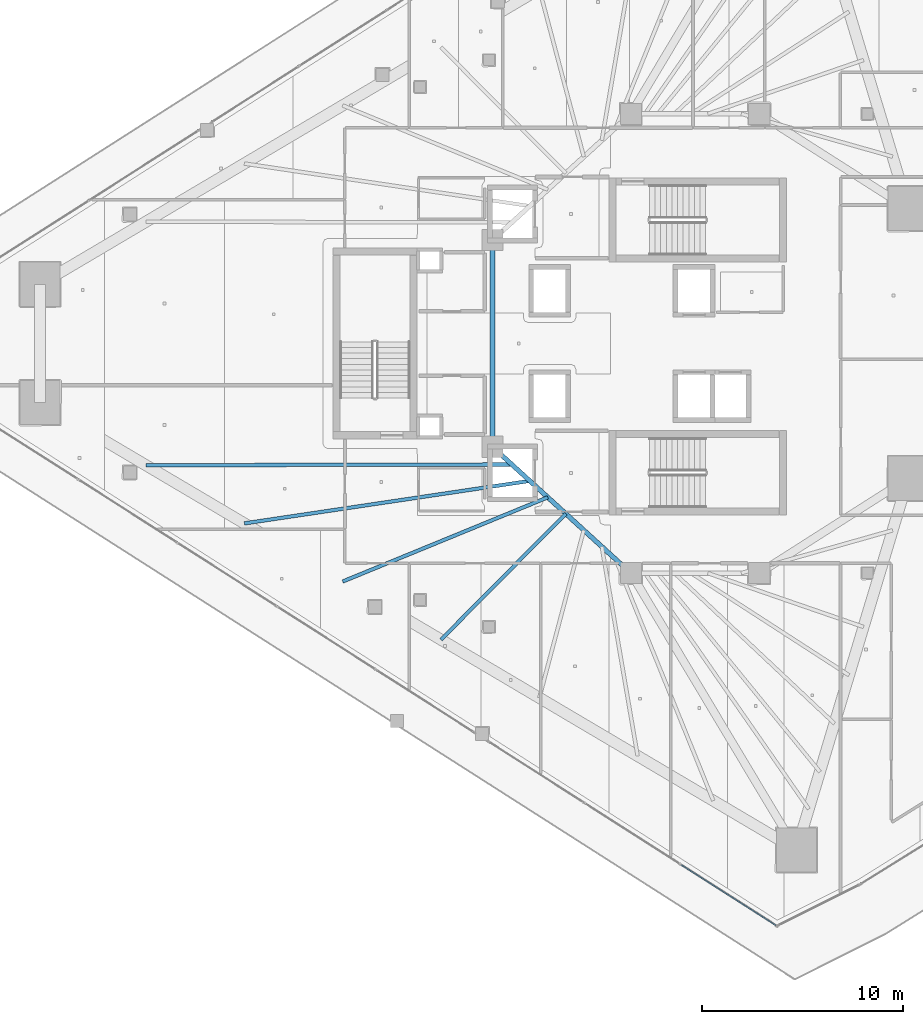
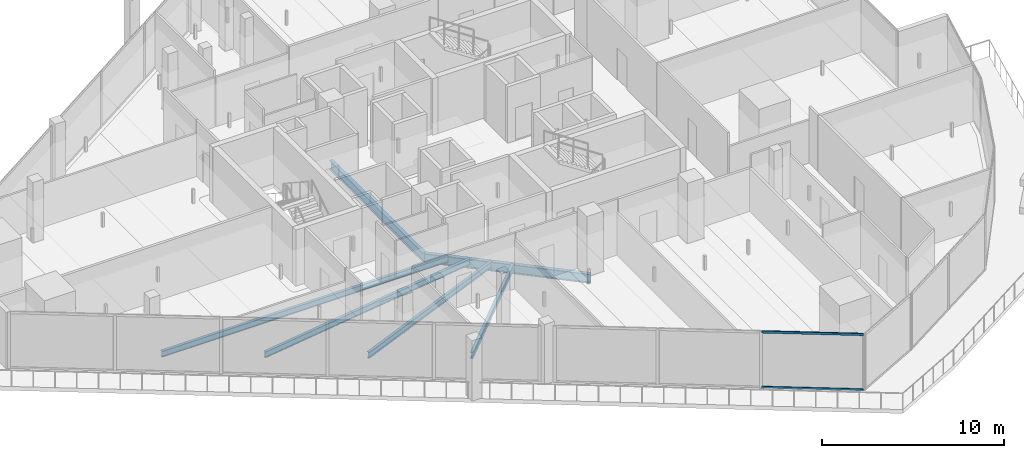
# One storey, part 6 of 35: 6 beams, 2 members, 1 element without a shape of its own.
"""IFC4 building model written with IfcOpenShell, lengths in metres."""

from ifc_helpers import new_model, si_unit, direction, frame, origin, origin_2d, place, context, subcontext, project, spatial, hollow_rectangle, i_section, extrude, material, layer, layer_set, material_profile, profile_set, type_object, element, aggregate, save


model = new_model("IFC4")

# Units and contexts
model_context = context("Model", 3, precision=1e-05, world=origin(), true_north=direction((0.0, 1.0)))
body_context = subcontext(model_context, "Body", "Model", "MODEL_VIEW")
ifc_project = project(units=[si_unit("LENGTHUNIT", "METRE"), si_unit("AREAUNIT", "SQUARE_METRE"), si_unit("VOLUMEUNIT", "CUBIC_METRE"), si_unit("PLANEANGLEUNIT", "RADIAN"), si_unit("MASSUNIT", "GRAM", prefix="KILO")], contexts=[model_context])

# Site, building, storey
site_placement = place(None, origin())
site = spatial("IfcSite", under=ifc_project, at=site_placement, CompositionType="ELEMENT")
building_placement = place(site_placement, origin())
building = spatial("IfcBuilding", under=site, at=building_placement, Name="Qorvath Tower", CompositionType="ELEMENT")
storey_placement = place(building_placement, frame((0.0, 0.0, 166.5)))
storey = spatial("IfcBuildingStorey", under=building, at=storey_placement, Name="L38", CompositionType="ELEMENT", Elevation=166.5)

# Beams
ifc_material_1 = material(Name="Steel ASTM A992 Grade 50", Category="steel")
ifc_material_profile_1 = material_profile(ifc_material_1, i_section(OverallWidth=0.22998046875, OverallDepth=0.616943359375, WebThickness=0.01318359375, FlangeThickness=0.022216796875, FilletRadius=0.014892578125, at=origin_2d()), Name="W24x94")
ifc_profile_set_1 = profile_set([ifc_material_profile_1], Name="Steel ASTM A992 Grade 50")
beam_type_1 = type_object("IfcBeamType", Name="BM-FG6", PredefinedType="BEAM", material=ifc_profile_set_1)
beam_1_placement = place(storey_placement, frame((-23.60009765625, -11.449951171875, -0.57861328125), z_axis=(-0.73847813985, 0.6742774184, 0.0), x_axis=(-0.6742774184, -0.73847813985, 0.0)))
element("IfcBeam", 1, at=beam_1_placement, inside=storey, type_object=beam_type_1, Name="Core Ring Girder CC4-CC6 L38", PredefinedType="BEAM", context=body_context, shape_type="SweptSolid", body=[
    extrude(i_section(OverallWidth=0.22998046875, OverallDepth=0.616943359375, WebThickness=0.01318359375, FlangeThickness=0.022216796875, FilletRadius=0.014892578125, at=origin_2d()), origin(), (0.0, 0.0, 1.0), 9.343505859375),
])
beam_2_placement = place(storey_placement, frame((-30.5, -5.14990234375, -0.57861328125), z_axis=(0.0, 1.0, 0.0), x_axis=(-1.0, 0.0, 0.0)))
element("IfcBeam", 2, at=beam_2_placement, inside=storey, type_object=beam_type_1, Name="Core Ring Girder CC6-CC5 L38", PredefinedType="BEAM", context=body_context, shape_type="SweptSolid", body=[
    extrude(i_section(OverallWidth=0.22998046875, OverallDepth=0.616943359375, WebThickness=0.01318359375, FlangeThickness=0.022216796875, FilletRadius=0.014892578125, at=origin_2d()), origin(), (0.0, 0.0, 1.0), 10.2998046875),
])
ifc_material_2 = material(Name="Steel ASTM A992 Grade 50", Category="steel")
ifc_material_profile_2 = material_profile(ifc_material_2, i_section(OverallWidth=0.177978515625, OverallDepth=0.406005859375, WebThickness=0.0078125, FlangeThickness=0.0126953125, FilletRadius=0.010986328125, at=origin_2d()), Name="W16x40")
ifc_profile_set_2 = profile_set([ifc_material_profile_2], Name="Steel ASTM A992 Grade 50")
beam_type_2 = type_object("IfcBeamType", Name="BM-FJ3", PredefinedType="JOIST", material=ifc_profile_set_2)
beam_3_placement = place(storey_placement, frame((-29.533935546875, -6.031982421875, -0.472900390625), z_axis=(-0.999997589883, -0.002195501951, 0.0), x_axis=(0.002195501951, -0.999997589883, 0.0)))
element("IfcBeam", 3, at=beam_3_placement, inside=storey, type_object=beam_type_2, Name="Composite Floor Joist SW1 L38", PredefinedType="JOIST", context=body_context, shape_type="SweptSolid", body=[
    extrude(i_section(OverallWidth=0.177978515625, OverallDepth=0.406005859375, WebThickness=0.0078125, FlangeThickness=0.0126953125, FilletRadius=0.010986328125, at=origin_2d()), origin(), (0.0, 0.0, 1.0), 18.23681640625),
])
beam_4_placement = place(storey_placement, frame((-28.636962890625, -6.85107421875, -0.472900390625), z_axis=(-0.989092860328, -0.147293291256, 0.0), x_axis=(0.147293291256, -0.989092860328, 0.0)))
element("IfcBeam", 4, at=beam_4_placement, inside=storey, type_object=beam_type_2, Name="Composite Floor Joist SW2 L38", PredefinedType="JOIST", context=body_context, shape_type="SweptSolid", body=[
    extrude(i_section(OverallWidth=0.177978515625, OverallDepth=0.406005859375, WebThickness=0.0078125, FlangeThickness=0.0126953125, FilletRadius=0.010986328125, at=origin_2d()), origin(), (0.0, 0.0, 1.0), 14.388916015625),
])
beam_5_placement = place(storey_placement, frame((-27.739990234375, -7.669921875, -0.472900390625), z_axis=(-0.925068176006, -0.379801092338, 0.0), x_axis=(0.379801092338, -0.925068176006, 0.0)))
element("IfcBeam", 5, at=beam_5_placement, inside=storey, type_object=beam_type_2, Name="Composite Floor Joist SW3 L38", PredefinedType="JOIST", context=body_context, shape_type="SweptSolid", body=[
    extrude(i_section(OverallWidth=0.177978515625, OverallDepth=0.406005859375, WebThickness=0.0078125, FlangeThickness=0.0126953125, FilletRadius=0.010986328125, at=origin_2d()), origin(), (0.0, 0.0, 1.0), 11.0556640625),
])
beam_6_placement = place(storey_placement, frame((-26.843017578125, -8.489013671875, -0.472900390625), z_axis=(-0.70395121362, -0.710248328997, 0.0), x_axis=(0.710248328997, -0.70395121362, 0.0)))
element("IfcBeam", 6, at=beam_6_placement, inside=storey, type_object=beam_type_2, Name="Composite Floor Joist SW4 L38", PredefinedType="JOIST", context=body_context, shape_type="SweptSolid", body=[
    extrude(i_section(OverallWidth=0.177978515625, OverallDepth=0.406005859375, WebThickness=0.0078125, FlangeThickness=0.0126953125, FilletRadius=0.010986328125, at=origin_2d()), origin(), (0.0, 0.0, 1.0), 8.839599609375),
])

# Curtain wall, members
ifc_material_3 = material(Name="Anodised aluminium and triple low-E glass", Category="aluminium")
ifc_layer = layer(ifc_material_3, 0.179931640625)
ifc_layer_set = layer_set([ifc_layer], Name="CW-SYS-3")
curtain_wall_type = type_object("IfcCurtainWallType", Name="CW-SYS-3", PredefinedType="NOTDEFINED", material=ifc_layer_set)
curtain_wall_placement = place(storey_placement, origin())
curtain_wall = element("IfcCurtainWall", 7, at=curtain_wall_placement, inside=storey, type_object=curtain_wall_type, Name="Curtain Wall CW-3 CW-T-L38-2.2", PredefinedType="NOTDEFINED")
ifc_material_4 = material(Name="Anodised aluminium 6063-T6", Category="aluminium")
ifc_material_profile_3 = material_profile(ifc_material_4, hollow_rectangle(XDim=0.06494140625, YDim=0.159912109375, WallThickness=0.00341796875, InnerFilletRadius=0.00341796875, OuterFilletRadius=0.007080078125, at=origin_2d()), Name="CWT 160x65")
ifc_profile_set_3 = profile_set([ifc_material_profile_3], Name="Anodised aluminium 6063-T6")
member_type = type_object("IfcMemberType", Name="CWT-160", PredefinedType="USERDEFINED", material=ifc_profile_set_3)
member_1_placement = place(storey_placement, frame((-21.096435546875, -25.989990234375, 0.032470703125), z_axis=(0.842596345477, -0.538545632783, 0.0), x_axis=(0.538545632783, 0.842596345477, 0.0)))
member_1 = element("IfcMember", 8, at=member_1_placement, type_object=member_type, Name="CW-3 transom 3.1", ObjectType="TRANSOM", PredefinedType="USERDEFINED", context=body_context, shape_type="SweptSolid", body=[
    extrude(hollow_rectangle(XDim=0.06494140625, YDim=0.159912109375, WallThickness=0.00341796875, InnerFilletRadius=0.00341796875, OuterFilletRadius=0.007080078125, at=origin_2d()), origin(), (0.0, 0.0, 1.0), 5.60546875),
])
member_2_placement = place(storey_placement, frame((-21.096435546875, -25.989990234375, 3.74755859375), z_axis=(0.842596345477, -0.538545632783, 0.0), x_axis=(0.538545632783, 0.842596345477, 0.0)))
member_2 = element("IfcMember", 9, at=member_2_placement, type_object=member_type, Name="CW-3 transom 3.2", ObjectType="TRANSOM", PredefinedType="USERDEFINED", context=body_context, shape_type="SweptSolid", body=[
    extrude(hollow_rectangle(XDim=0.06494140625, YDim=0.159912109375, WallThickness=0.00341796875, InnerFilletRadius=0.00341796875, OuterFilletRadius=0.007080078125, at=origin_2d()), origin(), (0.0, 0.0, 1.0), 5.60546875),
])
aggregate(curtain_wall, [member_1, member_2])

save(model, "model.ifc")
